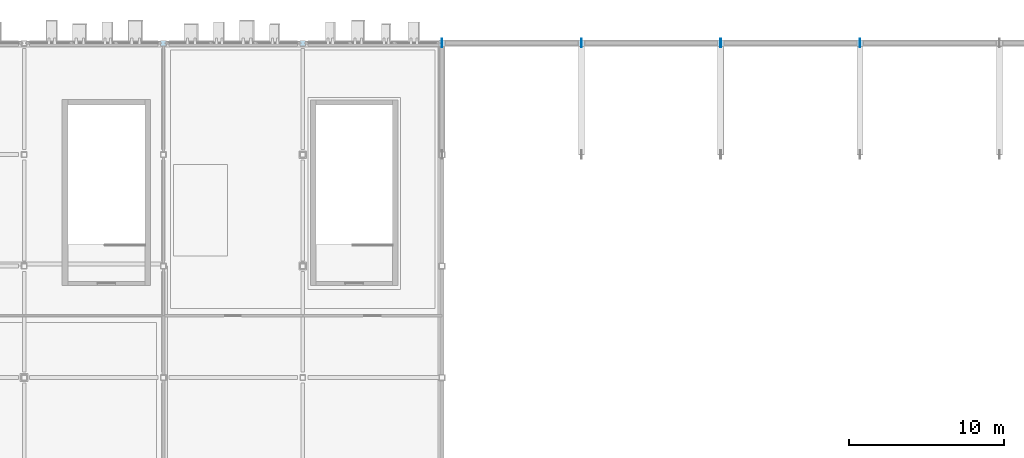
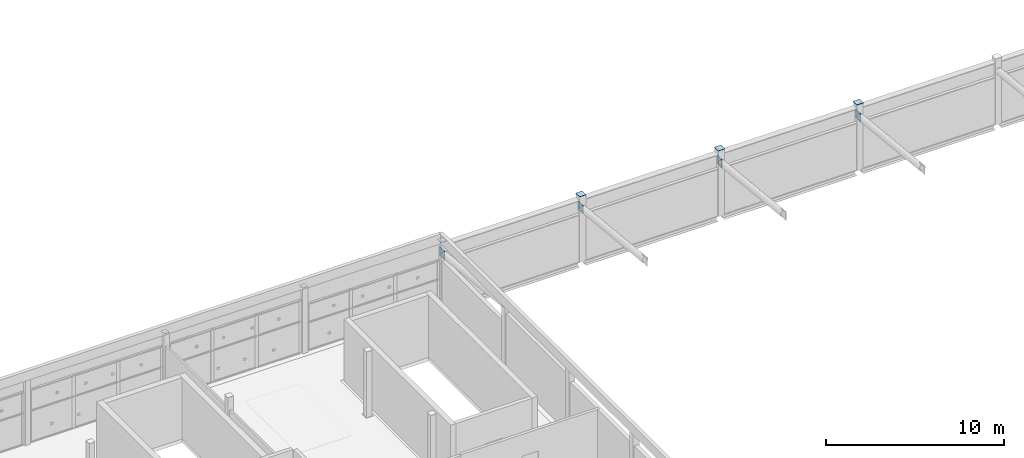
# One storey, part 97 of 124: 10 plates.
"""IFC4 building model written with IfcOpenShell, lengths in metres."""

from ifc_helpers import new_model, si_unit, direction, frame, origin, origin_2d, place, context, subcontext, project, spatial, rectangle, extrude, material, layer, layer_set, type_object, element, save


model = new_model("IFC4")

# Units and contexts
model_context = context("Model", 3, precision=1e-05, world=origin(), true_north=direction((0.0, 1.0)))
body_context = subcontext(model_context, "Body", "Model", "MODEL_VIEW")
ifc_project = project(units=[si_unit("LENGTHUNIT", "METRE"), si_unit("AREAUNIT", "SQUARE_METRE"), si_unit("VOLUMEUNIT", "CUBIC_METRE"), si_unit("PLANEANGLEUNIT", "RADIAN"), si_unit("MASSUNIT", "GRAM", prefix="KILO")], contexts=[model_context])

# Site, building, storey
site_placement = place(None, origin())
site = spatial("IfcSite", under=ifc_project, at=site_placement, CompositionType="ELEMENT")
building_placement = place(site_placement, origin())
building = spatial("IfcBuilding", under=site, at=building_placement, Name="Celestram Park Convention Centre", CompositionType="ELEMENT")
storey_placement = place(building_placement, frame((0.0, 0.0, 15.300048828125)))
storey = spatial("IfcBuildingStorey", under=building, at=storey_placement, Name="L03", CompositionType="ELEMENT", Elevation=15.300048828125)

# Plates
ifc_material = material(Name="Steel ASTM A572 Grade 50", Category="steel")
ifc_layer_1 = layer(ifc_material, 0.02490234375)
ifc_layer_set_1 = layer_set([ifc_layer_1], Name="Steel ASTM A572 Grade 50")
plate_type_1 = type_object("IfcPlateType", Name="STR-PLT-EC350", PredefinedType="USERDEFINED", material=ifc_layer_set_1)
for number, where, z_axis, x_axis, name in (
    (1, (135.0, 165.60009765625, 4.49951171875), (0.0, 0.0, 1.0), (1.0, 0.0, 0.0), "HSS column end closure cap plate EC-L03-103"),
    (2, (144.0, 165.60009765625, 4.49951171875), (0.0, 0.0, 1.0), (1.0, 0.0, 0.0), "HSS column end closure cap plate EC-L03-120"),
):
    element("IfcPlate", number, at=place(storey_placement, frame(where, z_axis=z_axis, x_axis=x_axis)), inside=storey, type_object=plate_type_1, Name=name, ObjectType="GUSSET_PLATE", PredefinedType="USERDEFINED", context=body_context, shape_type="SweptSolid", body=[
        extrude(rectangle(XDim=0.3701171875, YDim=0.3701171875, at=origin_2d()), origin(), (0.0, 0.0, 1.0), 0.02490234375),
    ])
ifc_layer_2 = layer(ifc_material, 0.02490234375)
ifc_layer_set_2 = layer_set([ifc_layer_2], Name="Steel ASTM A572 Grade 50")
plate_type_2 = type_object("IfcPlateType", Name="STR-PLT-EC400", PredefinedType="USERDEFINED", material=ifc_layer_set_2)
for number, where, z_axis, x_axis, name in (
    (3, (153.0, 165.60009765625, 4.49951171875), (0.0, 0.0, 1.0), (1.0, 0.0, 0.0), "HSS column end closure cap plate EC-L03-136"),
    (4, (162.0, 165.60009765625, 4.49951171875), (0.0, 0.0, 1.0), (1.0, 0.0, 0.0), "HSS column end closure cap plate EC-L03-140"),
    (5, (171.0, 165.60009765625, 4.49951171875), (0.0, 0.0, 1.0), (1.0, 0.0, 0.0), "HSS column end closure cap plate EC-L03-144"),
    (6, (180.0, 165.60009765625, 4.49951171875), (0.0, 0.0, 1.0), (1.0, 0.0, 0.0), "HSS column end closure cap plate EC-L03-148"),
):
    element("IfcPlate", number, at=place(storey_placement, frame(where, z_axis=z_axis, x_axis=x_axis)), inside=storey, type_object=plate_type_2, Name=name, ObjectType="GUSSET_PLATE", PredefinedType="USERDEFINED", context=body_context, shape_type="SweptSolid", body=[
        extrude(rectangle(XDim=0.429931640625, YDim=0.429931640625, at=origin_2d()), origin(), (0.0, 0.0, 1.0), 0.02490234375),
    ])
ifc_layer_3 = layer(ifc_material, 0.0400390625)
ifc_layer_set_3 = layer_set([ifc_layer_3], Name="Steel ASTM A572 Grade 50")
plate_type_3 = type_object("IfcPlateType", Name="STR-PLT-GP40", PredefinedType="USERDEFINED", material=ifc_layer_set_3)
for number, where, z_axis, x_axis, name in (
    (7, (153.0, 165.60009765625, 3.3388671875), (0.0, 0.0, 1.0), (0.0, 1.0, 0.0), "V2 truss node gusset plate"),
    (8, (162.0, 165.60009765625, 3.3388671875), (0.0, 0.0, 1.0), (0.0, 1.0, 0.0), "V2 truss node gusset plate"),
    (9, (171.0, 165.60009765625, 3.3388671875), (0.0, 0.0, 1.0), (0.0, 1.0, 0.0), "V2 truss node gusset plate"),
    (10, (180.0, 165.60009765625, 3.3388671875), (0.0, 0.0, 1.0), (0.0, 1.0, 0.0), "V2 truss node gusset plate"),
):
    element("IfcPlate", number, at=place(storey_placement, frame(where, z_axis=z_axis, x_axis=x_axis)), inside=storey, type_object=plate_type_3, Name=name, ObjectType="GUSSET_PLATE", PredefinedType="USERDEFINED", context=body_context, shape_type="SweptSolid", body=[
        extrude(rectangle(XDim=0.550048828125, YDim=0.0400390625, at=origin_2d()), origin(), (0.0, 0.0, 1.0), 0.550048828125),
    ])

save(model, "model.ifc")
